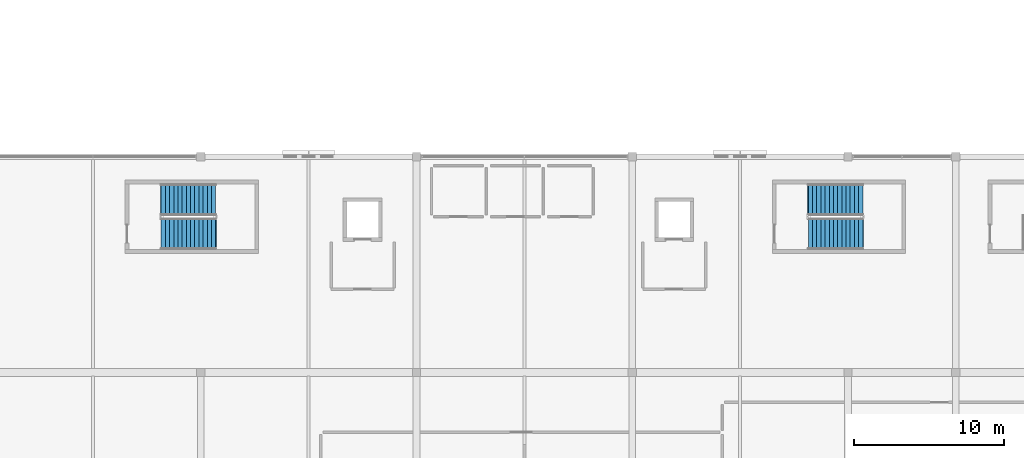
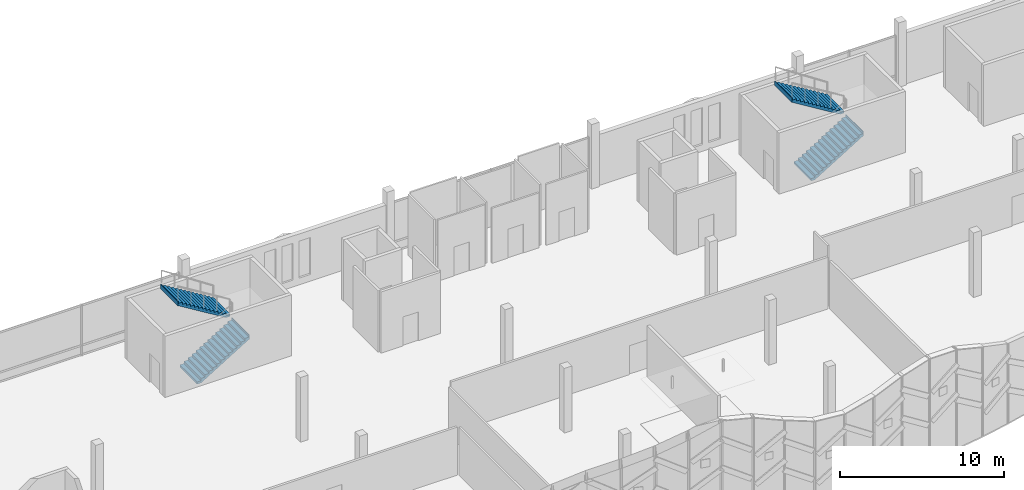
# One storey, part 100 of 116: 4 stair flights, 2 elements without a shape of their own.
"""IFC4 building model written with IfcOpenShell, lengths in metres."""

from ifc_helpers import new_model, si_unit, direction, frame, origin, place, context, subcontext, project, spatial, triangles, material, type_object, element, aggregate, save


model = new_model("IFC4")

# Units and contexts
model_context = context("Model", 3, precision=1e-05, world=origin(), true_north=direction((0.0, 1.0)))
body_context = subcontext(model_context, "Body", "Model", "MODEL_VIEW")
ifc_project = project(units=[si_unit("LENGTHUNIT", "METRE"), si_unit("AREAUNIT", "SQUARE_METRE"), si_unit("VOLUMEUNIT", "CUBIC_METRE"), si_unit("PLANEANGLEUNIT", "RADIAN"), si_unit("MASSUNIT", "GRAM", prefix="KILO")], contexts=[model_context])

# Site, building, storey
site_placement = place(None, origin())
site = spatial("IfcSite", under=ifc_project, at=site_placement, CompositionType="ELEMENT")
building_placement = place(site_placement, origin())
building = spatial("IfcBuilding", under=site, at=building_placement, Name="Cendralis Lancet Convention Centre", CompositionType="ELEMENT")
storey_placement = place(building_placement, frame((0.0, 0.0, 15.0)))
storey = spatial("IfcBuildingStorey", under=building, at=storey_placement, Name="L03", CompositionType="ELEMENT", Elevation=15.0)

# Stair, stair flights
ifc_material = material(Name="Concrete G35 (C35/45)", Category="concrete")
stair_type = type_object("IfcStairType", Name="ARC-ST-CORE", PredefinedType="HALF_TURN_STAIR", material=ifc_material)
stair_1_placement = place(storey_placement, origin())
stair_1 = element("IfcStair", 1, at=stair_1_placement, inside=storey, type_object=stair_type, Name="L03 Protected Exit Stair ST-11", PredefinedType="HALF_TURN_STAIR")
stair_flight_type = type_object("IfcStairFlightType", Name="ARC-SF-CORE", PredefinedType="STRAIGHT", material=ifc_material)
stair_flight_1_placement = place(storey_placement, frame((26.14990234375, 30.85009765625, 0.0), z_axis=(0.0, 0.0, 1.0), x_axis=(1.0, 0.0, 0.0)))
stair_flight_1 = element("IfcStairFlight", 2, at=stair_flight_1_placement, type_object=stair_flight_type, Name="ST-11 flight 1", NumberOfRisers=14, NumberOfTreads=13, PredefinedType="STRAIGHT", RiserHeight=0.171428571, TreadLength=0.28, context=body_context, shape_type="Tessellation", body=[
    triangles([(0.0, 0.0, 0.085714), (0.0, 1.050049, 0.0), (0.0, -1.050049, 0.0), (0.0, -1.050049, 0.171429), (0.0, 1.050049, 0.171429), (0.14, 0.0, 0.171429), (0.28, -1.050049, 0.171429), (0.28, 1.050049, 0.171429), (0.14, 0.0, 0.0), (0.28, -1.050049, 0.0), (0.28, 1.050049, 0.0), (0.28, 0.0, 0.257143), (0.28, -1.050049, 0.342857), (0.28, 1.050049, 0.342857), (0.283543, 0.0, 0.342857), (0.287085, -1.050049, 0.342857), (0.287085, 1.050049, 0.342857), (0.283543, 0.0, 0.0), (0.287085, -1.050049, 0.0), (0.287085, 1.050049, 0.0), (0.423543, 0.0, 0.342857), (0.56, -1.050049, 0.342857), (0.56, 1.050049, 0.342857), (0.423543, 0.0, 0.083545), (0.56, -1.050049, 0.167091), (0.56, 1.050049, 0.167091), (0.56, 0.0, 0.428572), (0.56, -1.050049, 0.514286), (0.56, 1.050049, 0.514286), (0.7, 0.0, 0.514286), (0.84, -1.050049, 0.514286), (0.84, 1.050049, 0.514286), (0.7, 0.0, 0.252806), (0.84, -1.050049, 0.33852), (0.84, 1.050049, 0.33852), (0.84, 0.0, 0.6), (0.84, -1.050049, 0.685714), (0.84, 1.050049, 0.685714), (0.98, 0.0, 0.685714), (1.12, -1.050049, 0.685714), (1.12, 1.050049, 0.685714), (0.98, 0.0, 0.424234), (1.12, -1.050049, 0.509948), (1.12, 1.050049, 0.509948), (1.12, 0.0, 0.771429), (1.12, -1.050049, 0.857143), (1.12, 1.050049, 0.857143), (1.26, 0.0, 0.857143), (1.4, -1.050049, 0.857143), (1.4, 1.050049, 0.857143), (1.26, 0.0, 0.595662), (1.4, -1.050049, 0.681377), (1.4, 1.050049, 0.681377), (1.4, 0.0, 0.942857), (1.4, -1.050049, 1.028571), (1.4, 1.050049, 1.028571), (1.54, 0.0, 1.028571), (1.68, -1.050049, 1.028571), (1.68, 1.050049, 1.028571), (1.54, 0.0, 0.767091), (1.68, -1.050049, 0.852805), (1.68, 1.050049, 0.852805), (1.68, 0.0, 1.114286), (1.68, -1.050049, 1.2), (1.68, 1.050049, 1.2), (1.82, 0.0, 1.2), (1.96, -1.050049, 1.2), (1.96, 1.050049, 1.2), (1.82, 0.0, 0.938519), (1.96, -1.050049, 1.024234), (1.96, 1.050049, 1.024234), (1.96, 0.0, 1.285715), (1.96, -1.050049, 1.371429), (1.96, 1.050049, 1.371429), (2.1, 0.0, 1.371429), (2.24, -1.050049, 1.371429), (2.24, 1.050049, 1.371429), (2.1, 0.0, 1.109948), (2.24, -1.050049, 1.195662), (2.24, 1.050049, 1.195662), (2.24, 0.0, 1.457143), (2.24, -1.050049, 1.542857), (2.24, 1.050049, 1.542857), (2.38, 0.0, 1.542857), (2.52, -1.050049, 1.542857), (2.52, 1.050049, 1.542857), (2.38, 0.0, 1.281376), (2.52, -1.050049, 1.367091), (2.52, 1.050049, 1.367091), (2.52, 0.0, 1.628572), (2.52, -1.050049, 1.714286), (2.52, 1.050049, 1.714286), (2.66, 0.0, 1.714286), (2.8, -1.050049, 1.714286), (2.8, 1.050049, 1.714286), (2.66, 0.0, 1.452806), (2.8, -1.050049, 1.53852), (2.8, 1.050049, 1.53852), (2.8, 0.0, 1.8), (2.8, -1.050049, 1.885714), (2.8, 1.050049, 1.885714), (2.94, 0.0, 1.885714), (3.08, -1.050049, 1.885714), (3.08, 1.050049, 1.885714), (2.94, 0.0, 1.624234), (3.08, -1.050049, 1.709948), (3.08, 1.050049, 1.709948), (3.08, 0.0, 1.971429), (3.08, -1.050049, 2.057143), (3.08, 1.050049, 2.057143), (3.22, 0.0, 2.057143), (3.36, -1.050049, 2.057143), (3.36, 1.050049, 2.057143), (3.22, 0.0, 1.795663), (3.36, -1.050049, 1.881377), (3.36, 1.050049, 1.881377), (3.36, 0.0, 2.142857), (3.36, -1.050049, 2.228571), (3.36, 1.050049, 2.228571), (3.5, 0.0, 2.228571), (3.64, -1.050049, 2.228571), (3.64, 1.050049, 2.228571), (3.5, 0.0, 1.967091), (3.64, -1.050049, 2.052805), (3.64, 1.050049, 2.052805), (3.64, 0.0, 2.314285), (3.64, -1.050049, 2.4), (3.64, 1.050049, 2.4), (3.66, 0.0, 2.4), (3.68, -1.050049, 2.4), (3.68, 1.050049, 2.4), (3.66, 0.0, 2.052805), (3.68, -1.050049, 2.052805), (3.68, 1.050049, 2.052805), (3.68, 0.0, 2.226403)], [[2, 3, 1], [3, 4, 1], [4, 5, 1], [5, 2, 1], [4, 7, 6], [7, 8, 6], [8, 5, 6], [5, 4, 6], [10, 3, 9], [3, 2, 9], [2, 11, 9], [11, 10, 9], [3, 10, 7], [3, 7, 4], [2, 8, 11], [2, 5, 8], [8, 7, 12], [7, 13, 12], [13, 14, 12], [14, 8, 12], [13, 16, 15], [16, 17, 15], [17, 14, 15], [14, 13, 15], [19, 10, 18], [10, 11, 18], [11, 20, 18], [20, 19, 18], [10, 19, 16], [10, 16, 7], [7, 16, 13], [11, 17, 20], [11, 8, 17], [8, 14, 17], [16, 22, 21], [22, 23, 21], [23, 17, 21], [17, 16, 21], [25, 19, 24], [19, 20, 24], [20, 26, 24], [26, 25, 24], [19, 25, 22], [19, 22, 16], [20, 23, 26], [20, 17, 23], [23, 22, 27], [22, 28, 27], [28, 29, 27], [29, 23, 27], [28, 31, 30], [31, 32, 30], [32, 29, 30], [29, 28, 30], [34, 25, 33], [25, 26, 33], [26, 35, 33], [35, 34, 33], [25, 34, 31], [25, 31, 22], [22, 31, 28], [26, 32, 35], [26, 23, 32], [23, 29, 32], [32, 31, 36], [31, 37, 36], [37, 38, 36], [38, 32, 36], [37, 40, 39], [40, 41, 39], [41, 38, 39], [38, 37, 39], [43, 34, 42], [34, 35, 42], [35, 44, 42], [44, 43, 42], [34, 43, 40], [34, 40, 31], [31, 40, 37], [35, 41, 44], [35, 32, 41], [32, 38, 41], [41, 40, 45], [40, 46, 45], [46, 47, 45], [47, 41, 45], [46, 49, 48], [49, 50, 48], [50, 47, 48], [47, 46, 48], [52, 43, 51], [43, 44, 51], [44, 53, 51], [53, 52, 51], [43, 52, 49], [43, 49, 40], [40, 49, 46], [44, 50, 53], [44, 41, 50], [41, 47, 50], [50, 49, 54], [49, 55, 54], [55, 56, 54], [56, 50, 54], [55, 58, 57], [58, 59, 57], [59, 56, 57], [56, 55, 57], [61, 52, 60], [52, 53, 60], [53, 62, 60], [62, 61, 60], [52, 61, 58], [52, 58, 49], [49, 58, 55], [53, 59, 62], [53, 50, 59], [50, 56, 59], [59, 58, 63], [58, 64, 63], [64, 65, 63], [65, 59, 63], [64, 67, 66], [67, 68, 66], [68, 65, 66], [65, 64, 66], [70, 61, 69], [61, 62, 69], [62, 71, 69], [71, 70, 69], [61, 70, 67], [61, 67, 58], [58, 67, 64], [62, 68, 71], [62, 59, 68], [59, 65, 68], [68, 67, 72], [67, 73, 72], [73, 74, 72], [74, 68, 72], [73, 76, 75], [76, 77, 75], [77, 74, 75], [74, 73, 75], [79, 70, 78], [70, 71, 78], [71, 80, 78], [80, 79, 78], [70, 79, 76], [70, 76, 67], [67, 76, 73], [71, 77, 80], [71, 68, 77], [68, 74, 77], [77, 76, 81], [76, 82, 81], [82, 83, 81], [83, 77, 81], [82, 85, 84], [85, 86, 84], [86, 83, 84], [83, 82, 84], [88, 79, 87], [79, 80, 87], [80, 89, 87], [89, 88, 87], [79, 88, 85], [79, 85, 76], [76, 85, 82], [80, 86, 89], [80, 77, 86], [77, 83, 86], [86, 85, 90], [85, 91, 90], [91, 92, 90], [92, 86, 90], [91, 94, 93], [94, 95, 93], [95, 92, 93], [92, 91, 93], [97, 88, 96], [88, 89, 96], [89, 98, 96], [98, 97, 96], [88, 97, 94], [88, 94, 85], [85, 94, 91], [89, 95, 98], [89, 86, 95], [86, 92, 95], [95, 94, 99], [94, 100, 99], [100, 101, 99], [101, 95, 99], [100, 103, 102], [103, 104, 102], [104, 101, 102], [101, 100, 102], [106, 97, 105], [97, 98, 105], [98, 107, 105], [107, 106, 105], [97, 106, 103], [97, 103, 94], [94, 103, 100], [98, 104, 107], [98, 95, 104], [95, 101, 104], [104, 103, 108], [103, 109, 108], [109, 110, 108], [110, 104, 108], [109, 112, 111], [112, 113, 111], [113, 110, 111], [110, 109, 111], [115, 106, 114], [106, 107, 114], [107, 116, 114], [116, 115, 114], [106, 115, 112], [106, 112, 103], [103, 112, 109], [107, 113, 116], [107, 104, 113], [104, 110, 113], [113, 112, 117], [112, 118, 117], [118, 119, 117], [119, 113, 117], [118, 121, 120], [121, 122, 120], [122, 119, 120], [119, 118, 120], [124, 115, 123], [115, 116, 123], [116, 125, 123], [125, 124, 123], [115, 124, 121], [115, 121, 112], [112, 121, 118], [116, 122, 125], [116, 113, 122], [113, 119, 122], [122, 121, 126], [121, 127, 126], [127, 128, 126], [128, 122, 126], [127, 130, 129], [130, 131, 129], [131, 128, 129], [128, 127, 129], [133, 124, 132], [124, 125, 132], [125, 134, 132], [134, 133, 132], [124, 133, 130], [124, 130, 121], [121, 130, 127], [125, 131, 134], [125, 122, 131], [122, 128, 131], [133, 134, 135], [134, 131, 135], [131, 130, 135], [130, 133, 135]], closed=True),
])
stair_flight_2_placement = place(storey_placement, frame((29.7900390625, 33.1298828125, 2.39990234375), z_axis=(0.0, 0.0, 1.0), x_axis=(-1.0, 0.0, 0.0)))
stair_flight_2 = element("IfcStairFlight", 3, at=stair_flight_2_placement, type_object=stair_flight_type, Name="ST-11 flight 2", NumberOfRisers=14, NumberOfTreads=13, PredefinedType="STRAIGHT", RiserHeight=0.171428571, TreadLength=0.28, context=body_context, shape_type="Tessellation", body=[
    triangles([(0.0, 0.0, 0.085714), (0.0, 1.050049, 0.0), (0.0, -1.050049, 0.0), (0.0, -1.050049, 0.171429), (0.0, 1.050049, 0.171429), (0.14, 0.0, 0.171429), (0.28, -1.050049, 0.171429), (0.28, 1.050049, 0.171429), (0.14, 0.0, 0.0), (0.28, -1.050049, 0.0), (0.28, 1.050049, 0.0), (0.28, 0.0, 0.257143), (0.28, -1.050049, 0.342857), (0.28, 1.050049, 0.342857), (0.283543, 0.0, 0.342857), (0.287085, -1.050049, 0.342857), (0.287085, 1.050049, 0.342857), (0.283543, 0.0, 0.0), (0.287085, -1.050049, 0.0), (0.287085, 1.050049, 0.0), (0.423543, 0.0, 0.342857), (0.56, -1.050049, 0.342857), (0.56, 1.050049, 0.342857), (0.423543, 0.0, 0.083545), (0.56, -1.050049, 0.167091), (0.56, 1.050049, 0.167091), (0.56, 0.0, 0.428572), (0.56, -1.050049, 0.514286), (0.56, 1.050049, 0.514286), (0.7, 0.0, 0.514286), (0.84, -1.050049, 0.514286), (0.84, 1.050049, 0.514286), (0.7, 0.0, 0.252806), (0.84, -1.050049, 0.33852), (0.84, 1.050049, 0.33852), (0.84, 0.0, 0.6), (0.84, -1.050049, 0.685714), (0.84, 1.050049, 0.685714), (0.98, 0.0, 0.685714), (1.12, -1.050049, 0.685714), (1.12, 1.050049, 0.685714), (0.98, 0.0, 0.424234), (1.12, -1.050049, 0.509948), (1.12, 1.050049, 0.509948), (1.12, 0.0, 0.771429), (1.12, -1.050049, 0.857143), (1.12, 1.050049, 0.857143), (1.26, 0.0, 0.857143), (1.4, -1.050049, 0.857143), (1.4, 1.050049, 0.857143), (1.26, 0.0, 0.595662), (1.4, -1.050049, 0.681377), (1.4, 1.050049, 0.681377), (1.4, 0.0, 0.942857), (1.4, -1.050049, 1.028571), (1.4, 1.050049, 1.028571), (1.54, 0.0, 1.028571), (1.68, -1.050049, 1.028571), (1.68, 1.050049, 1.028571), (1.54, 0.0, 0.767091), (1.68, -1.050049, 0.852805), (1.68, 1.050049, 0.852805), (1.68, 0.0, 1.114286), (1.68, -1.050049, 1.2), (1.68, 1.050049, 1.2), (1.82, 0.0, 1.2), (1.96, -1.050049, 1.2), (1.96, 1.050049, 1.2), (1.82, 0.0, 0.938519), (1.96, -1.050049, 1.024234), (1.96, 1.050049, 1.024234), (1.96, 0.0, 1.285715), (1.96, -1.050049, 1.371429), (1.96, 1.050049, 1.371429), (2.1, 0.0, 1.371429), (2.24, -1.050049, 1.371429), (2.24, 1.050049, 1.371429), (2.1, 0.0, 1.109948), (2.24, -1.050049, 1.195662), (2.24, 1.050049, 1.195662), (2.24, 0.0, 1.457143), (2.24, -1.050049, 1.542857), (2.24, 1.050049, 1.542857), (2.38, 0.0, 1.542857), (2.52, -1.050049, 1.542857), (2.52, 1.050049, 1.542857), (2.38, 0.0, 1.281376), (2.52, -1.050049, 1.367091), (2.52, 1.050049, 1.367091), (2.52, 0.0, 1.628572), (2.52, -1.050049, 1.714286), (2.52, 1.050049, 1.714286), (2.66, 0.0, 1.714286), (2.8, -1.050049, 1.714286), (2.8, 1.050049, 1.714286), (2.66, 0.0, 1.452806), (2.8, -1.050049, 1.53852), (2.8, 1.050049, 1.53852), (2.8, 0.0, 1.8), (2.8, -1.050049, 1.885714), (2.8, 1.050049, 1.885714), (2.94, 0.0, 1.885714), (3.08, -1.050049, 1.885714), (3.08, 1.050049, 1.885714), (2.94, 0.0, 1.624234), (3.08, -1.050049, 1.709948), (3.08, 1.050049, 1.709948), (3.08, 0.0, 1.971429), (3.08, -1.050049, 2.057143), (3.08, 1.050049, 2.057143), (3.22, 0.0, 2.057143), (3.36, -1.050049, 2.057143), (3.36, 1.050049, 2.057143), (3.22, 0.0, 1.795663), (3.36, -1.050049, 1.881377), (3.36, 1.050049, 1.881377), (3.36, 0.0, 2.142857), (3.36, -1.050049, 2.228571), (3.36, 1.050049, 2.228571), (3.5, 0.0, 2.228571), (3.64, -1.050049, 2.228571), (3.64, 1.050049, 2.228571), (3.5, 0.0, 1.967091), (3.64, -1.050049, 2.052805), (3.64, 1.050049, 2.052805), (3.64, 0.0, 2.314285), (3.64, -1.050049, 2.4), (3.64, 1.050049, 2.4), (3.66, 0.0, 2.4), (3.68, -1.050049, 2.4), (3.68, 1.050049, 2.4), (3.66, 0.0, 2.052805), (3.68, -1.050049, 2.052805), (3.68, 1.050049, 2.052805), (3.68, 0.0, 2.226403)], [[2, 3, 1], [3, 4, 1], [4, 5, 1], [5, 2, 1], [4, 7, 6], [7, 8, 6], [8, 5, 6], [5, 4, 6], [10, 3, 9], [3, 2, 9], [2, 11, 9], [11, 10, 9], [3, 10, 7], [3, 7, 4], [2, 8, 11], [2, 5, 8], [8, 7, 12], [7, 13, 12], [13, 14, 12], [14, 8, 12], [13, 16, 15], [16, 17, 15], [17, 14, 15], [14, 13, 15], [19, 10, 18], [10, 11, 18], [11, 20, 18], [20, 19, 18], [10, 19, 16], [10, 16, 7], [7, 16, 13], [11, 17, 20], [11, 8, 17], [8, 14, 17], [16, 22, 21], [22, 23, 21], [23, 17, 21], [17, 16, 21], [25, 19, 24], [19, 20, 24], [20, 26, 24], [26, 25, 24], [19, 25, 22], [19, 22, 16], [20, 23, 26], [20, 17, 23], [23, 22, 27], [22, 28, 27], [28, 29, 27], [29, 23, 27], [28, 31, 30], [31, 32, 30], [32, 29, 30], [29, 28, 30], [34, 25, 33], [25, 26, 33], [26, 35, 33], [35, 34, 33], [25, 34, 31], [25, 31, 22], [22, 31, 28], [26, 32, 35], [26, 23, 32], [23, 29, 32], [32, 31, 36], [31, 37, 36], [37, 38, 36], [38, 32, 36], [37, 40, 39], [40, 41, 39], [41, 38, 39], [38, 37, 39], [43, 34, 42], [34, 35, 42], [35, 44, 42], [44, 43, 42], [34, 43, 40], [34, 40, 31], [31, 40, 37], [35, 41, 44], [35, 32, 41], [32, 38, 41], [41, 40, 45], [40, 46, 45], [46, 47, 45], [47, 41, 45], [46, 49, 48], [49, 50, 48], [50, 47, 48], [47, 46, 48], [52, 43, 51], [43, 44, 51], [44, 53, 51], [53, 52, 51], [43, 52, 49], [43, 49, 40], [40, 49, 46], [44, 50, 53], [44, 41, 50], [41, 47, 50], [50, 49, 54], [49, 55, 54], [55, 56, 54], [56, 50, 54], [55, 58, 57], [58, 59, 57], [59, 56, 57], [56, 55, 57], [61, 52, 60], [52, 53, 60], [53, 62, 60], [62, 61, 60], [52, 61, 58], [52, 58, 49], [49, 58, 55], [53, 59, 62], [53, 50, 59], [50, 56, 59], [59, 58, 63], [58, 64, 63], [64, 65, 63], [65, 59, 63], [64, 67, 66], [67, 68, 66], [68, 65, 66], [65, 64, 66], [70, 61, 69], [61, 62, 69], [62, 71, 69], [71, 70, 69], [61, 70, 67], [61, 67, 58], [58, 67, 64], [62, 68, 71], [62, 59, 68], [59, 65, 68], [68, 67, 72], [67, 73, 72], [73, 74, 72], [74, 68, 72], [73, 76, 75], [76, 77, 75], [77, 74, 75], [74, 73, 75], [79, 70, 78], [70, 71, 78], [71, 80, 78], [80, 79, 78], [70, 79, 76], [70, 76, 67], [67, 76, 73], [71, 77, 80], [71, 68, 77], [68, 74, 77], [77, 76, 81], [76, 82, 81], [82, 83, 81], [83, 77, 81], [82, 85, 84], [85, 86, 84], [86, 83, 84], [83, 82, 84], [88, 79, 87], [79, 80, 87], [80, 89, 87], [89, 88, 87], [79, 88, 85], [79, 85, 76], [76, 85, 82], [80, 86, 89], [80, 77, 86], [77, 83, 86], [86, 85, 90], [85, 91, 90], [91, 92, 90], [92, 86, 90], [91, 94, 93], [94, 95, 93], [95, 92, 93], [92, 91, 93], [97, 88, 96], [88, 89, 96], [89, 98, 96], [98, 97, 96], [88, 97, 94], [88, 94, 85], [85, 94, 91], [89, 95, 98], [89, 86, 95], [86, 92, 95], [95, 94, 99], [94, 100, 99], [100, 101, 99], [101, 95, 99], [100, 103, 102], [103, 104, 102], [104, 101, 102], [101, 100, 102], [106, 97, 105], [97, 98, 105], [98, 107, 105], [107, 106, 105], [97, 106, 103], [97, 103, 94], [94, 103, 100], [98, 104, 107], [98, 95, 104], [95, 101, 104], [104, 103, 108], [103, 109, 108], [109, 110, 108], [110, 104, 108], [109, 112, 111], [112, 113, 111], [113, 110, 111], [110, 109, 111], [115, 106, 114], [106, 107, 114], [107, 116, 114], [116, 115, 114], [106, 115, 112], [106, 112, 103], [103, 112, 109], [107, 113, 116], [107, 104, 113], [104, 110, 113], [113, 112, 117], [112, 118, 117], [118, 119, 117], [119, 113, 117], [118, 121, 120], [121, 122, 120], [122, 119, 120], [119, 118, 120], [124, 115, 123], [115, 116, 123], [116, 125, 123], [125, 124, 123], [115, 124, 121], [115, 121, 112], [112, 121, 118], [116, 122, 125], [116, 113, 122], [113, 119, 122], [122, 121, 126], [121, 127, 126], [127, 128, 126], [128, 122, 126], [127, 130, 129], [130, 131, 129], [131, 128, 129], [128, 127, 129], [133, 124, 132], [124, 125, 132], [125, 134, 132], [134, 133, 132], [124, 133, 130], [124, 130, 121], [121, 130, 127], [125, 131, 134], [125, 122, 131], [122, 128, 131], [133, 134, 135], [134, 131, 135], [131, 130, 135], [130, 133, 135]], closed=True),
])
aggregate(stair_1, [stair_flight_1, stair_flight_2])

stair_2_placement = place(storey_placement, origin())
stair_2 = element("IfcStair", 4, at=stair_2_placement, inside=storey, type_object=stair_type, Name="L03 Protected Exit Stair ST-12", PredefinedType="HALF_TURN_STAIR")
stair_flight_3_placement = place(storey_placement, frame((69.35009765625, 30.85009765625, 0.0), z_axis=(0.0, 0.0, 1.0), x_axis=(1.0, 0.0, 0.0)))
stair_flight_3 = element("IfcStairFlight", 5, at=stair_flight_3_placement, type_object=stair_flight_type, Name="ST-12 flight 1", NumberOfRisers=14, NumberOfTreads=13, PredefinedType="STRAIGHT", RiserHeight=0.171428571, TreadLength=0.28, context=body_context, shape_type="Tessellation", body=[
    triangles([(0.0, 0.0, 0.085714), (0.0, 1.050049, 0.0), (0.0, -1.050049, 0.0), (0.0, -1.050049, 0.171429), (0.0, 1.050049, 0.171429), (0.14, 0.0, 0.171429), (0.28, -1.050049, 0.171429), (0.28, 1.050049, 0.171429), (0.14, 0.0, 0.0), (0.28, -1.050049, 0.0), (0.28, 1.050049, 0.0), (0.28, 0.0, 0.257143), (0.28, -1.050049, 0.342857), (0.28, 1.050049, 0.342857), (0.283543, 0.0, 0.342857), (0.287085, -1.050049, 0.342857), (0.287085, 1.050049, 0.342857), (0.283543, 0.0, 0.0), (0.287085, -1.050049, 0.0), (0.287085, 1.050049, 0.0), (0.423543, 0.0, 0.342857), (0.56, -1.050049, 0.342857), (0.56, 1.050049, 0.342857), (0.423543, 0.0, 0.083545), (0.56, -1.050049, 0.167091), (0.56, 1.050049, 0.167091), (0.56, 0.0, 0.428572), (0.56, -1.050049, 0.514286), (0.56, 1.050049, 0.514286), (0.7, 0.0, 0.514286), (0.84, -1.050049, 0.514286), (0.84, 1.050049, 0.514286), (0.7, 0.0, 0.252806), (0.84, -1.050049, 0.33852), (0.84, 1.050049, 0.33852), (0.84, 0.0, 0.6), (0.84, -1.050049, 0.685714), (0.84, 1.050049, 0.685714), (0.98, 0.0, 0.685714), (1.12, -1.050049, 0.685714), (1.12, 1.050049, 0.685714), (0.98, 0.0, 0.424234), (1.12, -1.050049, 0.509948), (1.12, 1.050049, 0.509948), (1.12, 0.0, 0.771429), (1.12, -1.050049, 0.857143), (1.12, 1.050049, 0.857143), (1.26, 0.0, 0.857143), (1.4, -1.050049, 0.857143), (1.4, 1.050049, 0.857143), (1.26, 0.0, 0.595662), (1.4, -1.050049, 0.681377), (1.4, 1.050049, 0.681377), (1.4, 0.0, 0.942857), (1.4, -1.050049, 1.028571), (1.4, 1.050049, 1.028571), (1.54, 0.0, 1.028571), (1.68, -1.050049, 1.028571), (1.68, 1.050049, 1.028571), (1.54, 0.0, 0.767091), (1.68, -1.050049, 0.852805), (1.68, 1.050049, 0.852805), (1.68, 0.0, 1.114286), (1.68, -1.050049, 1.2), (1.68, 1.050049, 1.2), (1.82, 0.0, 1.2), (1.96, -1.050049, 1.2), (1.96, 1.050049, 1.2), (1.82, 0.0, 0.938519), (1.96, -1.050049, 1.024234), (1.96, 1.050049, 1.024234), (1.96, 0.0, 1.285715), (1.96, -1.050049, 1.371429), (1.96, 1.050049, 1.371429), (2.1, 0.0, 1.371429), (2.24, -1.050049, 1.371429), (2.24, 1.050049, 1.371429), (2.1, 0.0, 1.109948), (2.24, -1.050049, 1.195662), (2.24, 1.050049, 1.195662), (2.24, 0.0, 1.457143), (2.24, -1.050049, 1.542857), (2.24, 1.050049, 1.542857), (2.38, 0.0, 1.542857), (2.52, -1.050049, 1.542857), (2.52, 1.050049, 1.542857), (2.38, 0.0, 1.281376), (2.52, -1.050049, 1.367091), (2.52, 1.050049, 1.367091), (2.52, 0.0, 1.628572), (2.52, -1.050049, 1.714286), (2.52, 1.050049, 1.714286), (2.66, 0.0, 1.714286), (2.8, -1.050049, 1.714286), (2.8, 1.050049, 1.714286), (2.66, 0.0, 1.452806), (2.8, -1.050049, 1.53852), (2.8, 1.050049, 1.53852), (2.8, 0.0, 1.8), (2.8, -1.050049, 1.885714), (2.8, 1.050049, 1.885714), (2.94, 0.0, 1.885714), (3.08, -1.050049, 1.885714), (3.08, 1.050049, 1.885714), (2.94, 0.0, 1.624234), (3.08, -1.050049, 1.709948), (3.08, 1.050049, 1.709948), (3.08, 0.0, 1.971429), (3.08, -1.050049, 2.057143), (3.08, 1.050049, 2.057143), (3.22, 0.0, 2.057143), (3.36, -1.050049, 2.057143), (3.36, 1.050049, 2.057143), (3.22, 0.0, 1.795663), (3.36, -1.050049, 1.881377), (3.36, 1.050049, 1.881377), (3.36, 0.0, 2.142857), (3.36, -1.050049, 2.228571), (3.36, 1.050049, 2.228571), (3.5, 0.0, 2.228571), (3.64, -1.050049, 2.228571), (3.64, 1.050049, 2.228571), (3.5, 0.0, 1.967091), (3.64, -1.050049, 2.052805), (3.64, 1.050049, 2.052805), (3.64, 0.0, 2.314285), (3.64, -1.050049, 2.4), (3.64, 1.050049, 2.4), (3.66, 0.0, 2.4), (3.68, -1.050049, 2.4), (3.68, 1.050049, 2.4), (3.66, 0.0, 2.052805), (3.68, -1.050049, 2.052805), (3.68, 1.050049, 2.052805), (3.68, 0.0, 2.226403)], [[2, 3, 1], [3, 4, 1], [4, 5, 1], [5, 2, 1], [4, 7, 6], [7, 8, 6], [8, 5, 6], [5, 4, 6], [10, 3, 9], [3, 2, 9], [2, 11, 9], [11, 10, 9], [3, 10, 7], [3, 7, 4], [2, 8, 11], [2, 5, 8], [8, 7, 12], [7, 13, 12], [13, 14, 12], [14, 8, 12], [13, 16, 15], [16, 17, 15], [17, 14, 15], [14, 13, 15], [19, 10, 18], [10, 11, 18], [11, 20, 18], [20, 19, 18], [10, 19, 16], [10, 16, 7], [7, 16, 13], [11, 17, 20], [11, 8, 17], [8, 14, 17], [16, 22, 21], [22, 23, 21], [23, 17, 21], [17, 16, 21], [25, 19, 24], [19, 20, 24], [20, 26, 24], [26, 25, 24], [19, 25, 22], [19, 22, 16], [20, 23, 26], [20, 17, 23], [23, 22, 27], [22, 28, 27], [28, 29, 27], [29, 23, 27], [28, 31, 30], [31, 32, 30], [32, 29, 30], [29, 28, 30], [34, 25, 33], [25, 26, 33], [26, 35, 33], [35, 34, 33], [25, 34, 31], [25, 31, 22], [22, 31, 28], [26, 32, 35], [26, 23, 32], [23, 29, 32], [32, 31, 36], [31, 37, 36], [37, 38, 36], [38, 32, 36], [37, 40, 39], [40, 41, 39], [41, 38, 39], [38, 37, 39], [43, 34, 42], [34, 35, 42], [35, 44, 42], [44, 43, 42], [34, 43, 40], [34, 40, 31], [31, 40, 37], [35, 41, 44], [35, 32, 41], [32, 38, 41], [41, 40, 45], [40, 46, 45], [46, 47, 45], [47, 41, 45], [46, 49, 48], [49, 50, 48], [50, 47, 48], [47, 46, 48], [52, 43, 51], [43, 44, 51], [44, 53, 51], [53, 52, 51], [43, 52, 49], [43, 49, 40], [40, 49, 46], [44, 50, 53], [44, 41, 50], [41, 47, 50], [50, 49, 54], [49, 55, 54], [55, 56, 54], [56, 50, 54], [55, 58, 57], [58, 59, 57], [59, 56, 57], [56, 55, 57], [61, 52, 60], [52, 53, 60], [53, 62, 60], [62, 61, 60], [52, 61, 58], [52, 58, 49], [49, 58, 55], [53, 59, 62], [53, 50, 59], [50, 56, 59], [59, 58, 63], [58, 64, 63], [64, 65, 63], [65, 59, 63], [64, 67, 66], [67, 68, 66], [68, 65, 66], [65, 64, 66], [70, 61, 69], [61, 62, 69], [62, 71, 69], [71, 70, 69], [61, 70, 67], [61, 67, 58], [58, 67, 64], [62, 68, 71], [62, 59, 68], [59, 65, 68], [68, 67, 72], [67, 73, 72], [73, 74, 72], [74, 68, 72], [73, 76, 75], [76, 77, 75], [77, 74, 75], [74, 73, 75], [79, 70, 78], [70, 71, 78], [71, 80, 78], [80, 79, 78], [70, 79, 76], [70, 76, 67], [67, 76, 73], [71, 77, 80], [71, 68, 77], [68, 74, 77], [77, 76, 81], [76, 82, 81], [82, 83, 81], [83, 77, 81], [82, 85, 84], [85, 86, 84], [86, 83, 84], [83, 82, 84], [88, 79, 87], [79, 80, 87], [80, 89, 87], [89, 88, 87], [79, 88, 85], [79, 85, 76], [76, 85, 82], [80, 86, 89], [80, 77, 86], [77, 83, 86], [86, 85, 90], [85, 91, 90], [91, 92, 90], [92, 86, 90], [91, 94, 93], [94, 95, 93], [95, 92, 93], [92, 91, 93], [97, 88, 96], [88, 89, 96], [89, 98, 96], [98, 97, 96], [88, 97, 94], [88, 94, 85], [85, 94, 91], [89, 95, 98], [89, 86, 95], [86, 92, 95], [95, 94, 99], [94, 100, 99], [100, 101, 99], [101, 95, 99], [100, 103, 102], [103, 104, 102], [104, 101, 102], [101, 100, 102], [106, 97, 105], [97, 98, 105], [98, 107, 105], [107, 106, 105], [97, 106, 103], [97, 103, 94], [94, 103, 100], [98, 104, 107], [98, 95, 104], [95, 101, 104], [104, 103, 108], [103, 109, 108], [109, 110, 108], [110, 104, 108], [109, 112, 111], [112, 113, 111], [113, 110, 111], [110, 109, 111], [115, 106, 114], [106, 107, 114], [107, 116, 114], [116, 115, 114], [106, 115, 112], [106, 112, 103], [103, 112, 109], [107, 113, 116], [107, 104, 113], [104, 110, 113], [113, 112, 117], [112, 118, 117], [118, 119, 117], [119, 113, 117], [118, 121, 120], [121, 122, 120], [122, 119, 120], [119, 118, 120], [124, 115, 123], [115, 116, 123], [116, 125, 123], [125, 124, 123], [115, 124, 121], [115, 121, 112], [112, 121, 118], [116, 122, 125], [116, 113, 122], [113, 119, 122], [122, 121, 126], [121, 127, 126], [127, 128, 126], [128, 122, 126], [127, 130, 129], [130, 131, 129], [131, 128, 129], [128, 127, 129], [133, 124, 132], [124, 125, 132], [125, 134, 132], [134, 133, 132], [124, 133, 130], [124, 130, 121], [121, 130, 127], [125, 131, 134], [125, 122, 131], [122, 128, 131], [133, 134, 135], [134, 131, 135], [131, 130, 135], [130, 133, 135]], closed=True),
])
stair_flight_4_placement = place(storey_placement, frame((72.989990234375, 33.1298828125, 2.39990234375), z_axis=(0.0, 0.0, 1.0), x_axis=(-1.0, 0.0, 0.0)))
stair_flight_4 = element("IfcStairFlight", 6, at=stair_flight_4_placement, type_object=stair_flight_type, Name="ST-12 flight 2", NumberOfRisers=14, NumberOfTreads=13, PredefinedType="STRAIGHT", RiserHeight=0.171428571, TreadLength=0.28, context=body_context, shape_type="Tessellation", body=[
    triangles([(0.0, 0.0, 0.085714), (0.0, 1.050049, 0.0), (0.0, -1.050049, 0.0), (0.0, -1.050049, 0.171429), (0.0, 1.050049, 0.171429), (0.14, 0.0, 0.171429), (0.28, -1.050049, 0.171429), (0.28, 1.050049, 0.171429), (0.14, 0.0, 0.0), (0.28, -1.050049, 0.0), (0.28, 1.050049, 0.0), (0.28, 0.0, 0.257143), (0.28, -1.050049, 0.342857), (0.28, 1.050049, 0.342857), (0.283543, 0.0, 0.342857), (0.287085, -1.050049, 0.342857), (0.287085, 1.050049, 0.342857), (0.283543, 0.0, 0.0), (0.287085, -1.050049, 0.0), (0.287085, 1.050049, 0.0), (0.423543, 0.0, 0.342857), (0.56, -1.050049, 0.342857), (0.56, 1.050049, 0.342857), (0.423543, 0.0, 0.083545), (0.56, -1.050049, 0.167091), (0.56, 1.050049, 0.167091), (0.56, 0.0, 0.428572), (0.56, -1.050049, 0.514286), (0.56, 1.050049, 0.514286), (0.7, 0.0, 0.514286), (0.84, -1.050049, 0.514286), (0.84, 1.050049, 0.514286), (0.7, 0.0, 0.252806), (0.84, -1.050049, 0.33852), (0.84, 1.050049, 0.33852), (0.84, 0.0, 0.6), (0.84, -1.050049, 0.685714), (0.84, 1.050049, 0.685714), (0.98, 0.0, 0.685714), (1.12, -1.050049, 0.685714), (1.12, 1.050049, 0.685714), (0.98, 0.0, 0.424234), (1.12, -1.050049, 0.509948), (1.12, 1.050049, 0.509948), (1.12, 0.0, 0.771429), (1.12, -1.050049, 0.857143), (1.12, 1.050049, 0.857143), (1.26, 0.0, 0.857143), (1.4, -1.050049, 0.857143), (1.4, 1.050049, 0.857143), (1.26, 0.0, 0.595662), (1.4, -1.050049, 0.681377), (1.4, 1.050049, 0.681377), (1.4, 0.0, 0.942857), (1.4, -1.050049, 1.028571), (1.4, 1.050049, 1.028571), (1.54, 0.0, 1.028571), (1.68, -1.050049, 1.028571), (1.68, 1.050049, 1.028571), (1.54, 0.0, 0.767091), (1.68, -1.050049, 0.852805), (1.68, 1.050049, 0.852805), (1.68, 0.0, 1.114286), (1.68, -1.050049, 1.2), (1.68, 1.050049, 1.2), (1.82, 0.0, 1.2), (1.96, -1.050049, 1.2), (1.96, 1.050049, 1.2), (1.82, 0.0, 0.938519), (1.96, -1.050049, 1.024234), (1.96, 1.050049, 1.024234), (1.96, 0.0, 1.285715), (1.96, -1.050049, 1.371429), (1.96, 1.050049, 1.371429), (2.1, 0.0, 1.371429), (2.24, -1.050049, 1.371429), (2.24, 1.050049, 1.371429), (2.1, 0.0, 1.109948), (2.24, -1.050049, 1.195662), (2.24, 1.050049, 1.195662), (2.24, 0.0, 1.457143), (2.24, -1.050049, 1.542857), (2.24, 1.050049, 1.542857), (2.38, 0.0, 1.542857), (2.52, -1.050049, 1.542857), (2.52, 1.050049, 1.542857), (2.38, 0.0, 1.281376), (2.52, -1.050049, 1.367091), (2.52, 1.050049, 1.367091), (2.52, 0.0, 1.628572), (2.52, -1.050049, 1.714286), (2.52, 1.050049, 1.714286), (2.66, 0.0, 1.714286), (2.8, -1.050049, 1.714286), (2.8, 1.050049, 1.714286), (2.66, 0.0, 1.452806), (2.8, -1.050049, 1.53852), (2.8, 1.050049, 1.53852), (2.8, 0.0, 1.8), (2.8, -1.050049, 1.885714), (2.8, 1.050049, 1.885714), (2.94, 0.0, 1.885714), (3.08, -1.050049, 1.885714), (3.08, 1.050049, 1.885714), (2.94, 0.0, 1.624234), (3.08, -1.050049, 1.709948), (3.08, 1.050049, 1.709948), (3.08, 0.0, 1.971429), (3.08, -1.050049, 2.057143), (3.08, 1.050049, 2.057143), (3.22, 0.0, 2.057143), (3.36, -1.050049, 2.057143), (3.36, 1.050049, 2.057143), (3.22, 0.0, 1.795663), (3.36, -1.050049, 1.881377), (3.36, 1.050049, 1.881377), (3.36, 0.0, 2.142857), (3.36, -1.050049, 2.228571), (3.36, 1.050049, 2.228571), (3.5, 0.0, 2.228571), (3.64, -1.050049, 2.228571), (3.64, 1.050049, 2.228571), (3.5, 0.0, 1.967091), (3.64, -1.050049, 2.052805), (3.64, 1.050049, 2.052805), (3.64, 0.0, 2.314285), (3.64, -1.050049, 2.4), (3.64, 1.050049, 2.4), (3.66, 0.0, 2.4), (3.68, -1.050049, 2.4), (3.68, 1.050049, 2.4), (3.66, 0.0, 2.052805), (3.68, -1.050049, 2.052805), (3.68, 1.050049, 2.052805), (3.68, 0.0, 2.226403)], [[2, 3, 1], [3, 4, 1], [4, 5, 1], [5, 2, 1], [4, 7, 6], [7, 8, 6], [8, 5, 6], [5, 4, 6], [10, 3, 9], [3, 2, 9], [2, 11, 9], [11, 10, 9], [3, 10, 7], [3, 7, 4], [2, 8, 11], [2, 5, 8], [8, 7, 12], [7, 13, 12], [13, 14, 12], [14, 8, 12], [13, 16, 15], [16, 17, 15], [17, 14, 15], [14, 13, 15], [19, 10, 18], [10, 11, 18], [11, 20, 18], [20, 19, 18], [10, 19, 16], [10, 16, 7], [7, 16, 13], [11, 17, 20], [11, 8, 17], [8, 14, 17], [16, 22, 21], [22, 23, 21], [23, 17, 21], [17, 16, 21], [25, 19, 24], [19, 20, 24], [20, 26, 24], [26, 25, 24], [19, 25, 22], [19, 22, 16], [20, 23, 26], [20, 17, 23], [23, 22, 27], [22, 28, 27], [28, 29, 27], [29, 23, 27], [28, 31, 30], [31, 32, 30], [32, 29, 30], [29, 28, 30], [34, 25, 33], [25, 26, 33], [26, 35, 33], [35, 34, 33], [25, 34, 31], [25, 31, 22], [22, 31, 28], [26, 32, 35], [26, 23, 32], [23, 29, 32], [32, 31, 36], [31, 37, 36], [37, 38, 36], [38, 32, 36], [37, 40, 39], [40, 41, 39], [41, 38, 39], [38, 37, 39], [43, 34, 42], [34, 35, 42], [35, 44, 42], [44, 43, 42], [34, 43, 40], [34, 40, 31], [31, 40, 37], [35, 41, 44], [35, 32, 41], [32, 38, 41], [41, 40, 45], [40, 46, 45], [46, 47, 45], [47, 41, 45], [46, 49, 48], [49, 50, 48], [50, 47, 48], [47, 46, 48], [52, 43, 51], [43, 44, 51], [44, 53, 51], [53, 52, 51], [43, 52, 49], [43, 49, 40], [40, 49, 46], [44, 50, 53], [44, 41, 50], [41, 47, 50], [50, 49, 54], [49, 55, 54], [55, 56, 54], [56, 50, 54], [55, 58, 57], [58, 59, 57], [59, 56, 57], [56, 55, 57], [61, 52, 60], [52, 53, 60], [53, 62, 60], [62, 61, 60], [52, 61, 58], [52, 58, 49], [49, 58, 55], [53, 59, 62], [53, 50, 59], [50, 56, 59], [59, 58, 63], [58, 64, 63], [64, 65, 63], [65, 59, 63], [64, 67, 66], [67, 68, 66], [68, 65, 66], [65, 64, 66], [70, 61, 69], [61, 62, 69], [62, 71, 69], [71, 70, 69], [61, 70, 67], [61, 67, 58], [58, 67, 64], [62, 68, 71], [62, 59, 68], [59, 65, 68], [68, 67, 72], [67, 73, 72], [73, 74, 72], [74, 68, 72], [73, 76, 75], [76, 77, 75], [77, 74, 75], [74, 73, 75], [79, 70, 78], [70, 71, 78], [71, 80, 78], [80, 79, 78], [70, 79, 76], [70, 76, 67], [67, 76, 73], [71, 77, 80], [71, 68, 77], [68, 74, 77], [77, 76, 81], [76, 82, 81], [82, 83, 81], [83, 77, 81], [82, 85, 84], [85, 86, 84], [86, 83, 84], [83, 82, 84], [88, 79, 87], [79, 80, 87], [80, 89, 87], [89, 88, 87], [79, 88, 85], [79, 85, 76], [76, 85, 82], [80, 86, 89], [80, 77, 86], [77, 83, 86], [86, 85, 90], [85, 91, 90], [91, 92, 90], [92, 86, 90], [91, 94, 93], [94, 95, 93], [95, 92, 93], [92, 91, 93], [97, 88, 96], [88, 89, 96], [89, 98, 96], [98, 97, 96], [88, 97, 94], [88, 94, 85], [85, 94, 91], [89, 95, 98], [89, 86, 95], [86, 92, 95], [95, 94, 99], [94, 100, 99], [100, 101, 99], [101, 95, 99], [100, 103, 102], [103, 104, 102], [104, 101, 102], [101, 100, 102], [106, 97, 105], [97, 98, 105], [98, 107, 105], [107, 106, 105], [97, 106, 103], [97, 103, 94], [94, 103, 100], [98, 104, 107], [98, 95, 104], [95, 101, 104], [104, 103, 108], [103, 109, 108], [109, 110, 108], [110, 104, 108], [109, 112, 111], [112, 113, 111], [113, 110, 111], [110, 109, 111], [115, 106, 114], [106, 107, 114], [107, 116, 114], [116, 115, 114], [106, 115, 112], [106, 112, 103], [103, 112, 109], [107, 113, 116], [107, 104, 113], [104, 110, 113], [113, 112, 117], [112, 118, 117], [118, 119, 117], [119, 113, 117], [118, 121, 120], [121, 122, 120], [122, 119, 120], [119, 118, 120], [124, 115, 123], [115, 116, 123], [116, 125, 123], [125, 124, 123], [115, 124, 121], [115, 121, 112], [112, 121, 118], [116, 122, 125], [116, 113, 122], [113, 119, 122], [122, 121, 126], [121, 127, 126], [127, 128, 126], [128, 122, 126], [127, 130, 129], [130, 131, 129], [131, 128, 129], [128, 127, 129], [133, 124, 132], [124, 125, 132], [125, 134, 132], [134, 133, 132], [124, 133, 130], [124, 130, 121], [121, 130, 127], [125, 131, 134], [125, 122, 131], [122, 128, 131], [133, 134, 135], [134, 131, 135], [131, 130, 135], [130, 133, 135]], closed=True),
])
aggregate(stair_2, [stair_flight_3, stair_flight_4])

save(model, "model.ifc")
